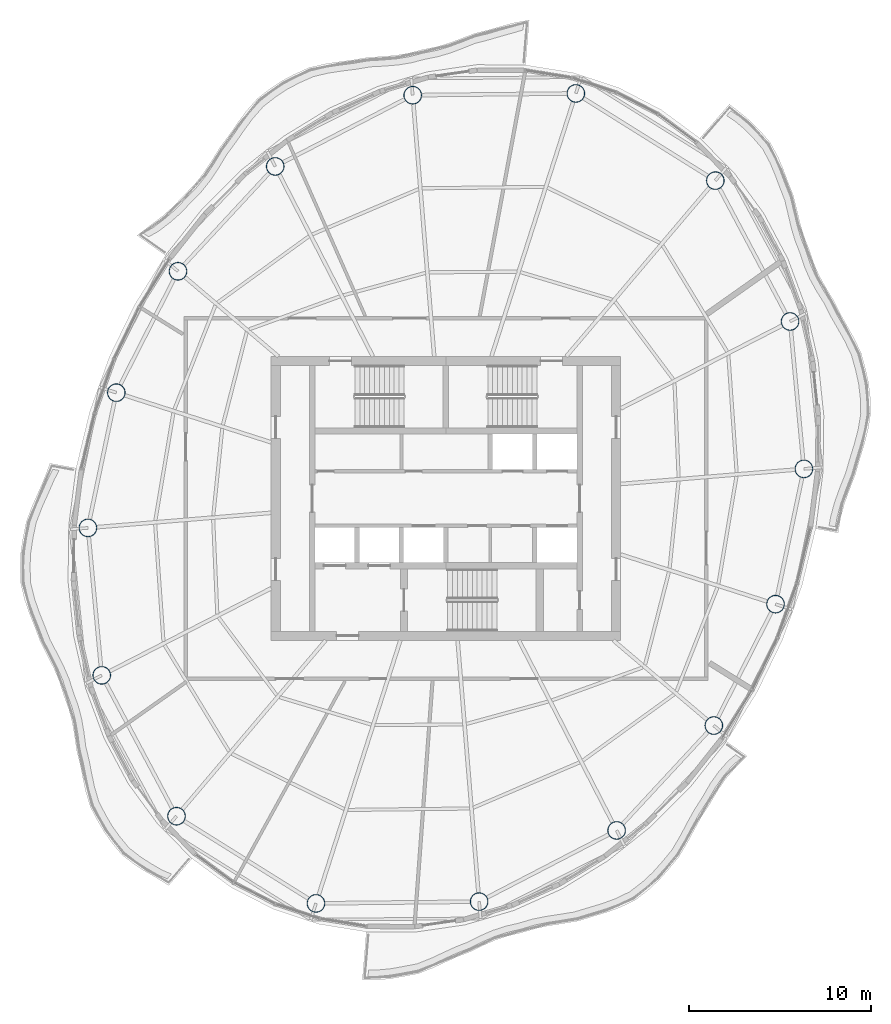
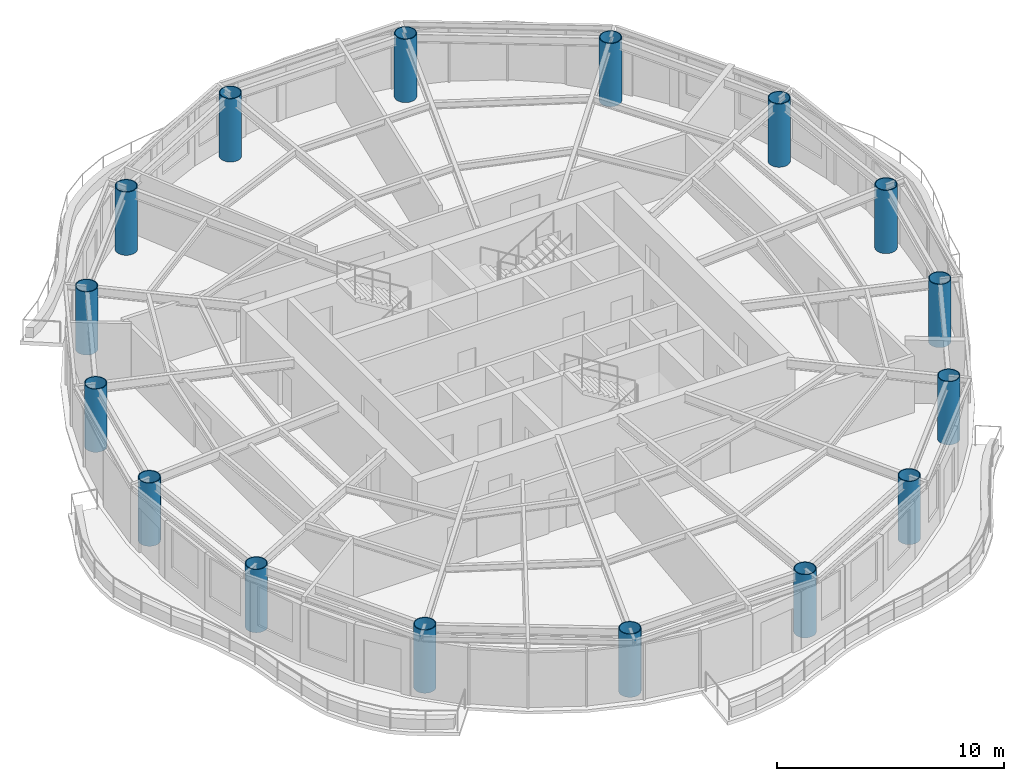
# One storey, part 1 of 13: 16 columns.
"""IFC4 building model written with IfcOpenShell, lengths in metres."""

import ifcopenshell
import ifcopenshell.guid

model = None  # the IFC model being written
_history = None  # IfcOwnerHistory: only IFC2X3 demands one
_inside = {}  # id of a spatial element -> (the spatial element, [elements in it])
_under = {}  # id of a project, library or spatial element -> (it, [spatial elements below it])
_declared = {}  # id of a project -> (the project, [libraries it declares])
_typed = {}  # id of a type object -> (the type object, [elements of that type])
_made_of = {}  # id of a material, layer set ... -> (it, [elements and type objects made of it])


def new_model(schema):
    """Start an empty IFC model of exactly this schema.

    Asked for "IFC4X3", IfcOpenShell would pick the latest addendum, in which some entities
    have other attributes; the version numbers below select the first issue.
    IFC2X3 requires an IfcOwnerHistory on every rooted entity: one is made here for all.
    """
    global model, _history
    if schema == "IFC4X3":
        model = ifcopenshell.file(schema_version=(4, 3, 0, 0))
    else:
        model = ifcopenshell.file(schema=schema)
    _inside.clear()
    _under.clear()
    _declared.clear()
    _typed.clear()
    _made_of.clear()
    _history = None
    if model.schema == "IFC2X3":
        org = make("IfcOrganization", Name="unknown")
        user = make(
            "IfcPersonAndOrganization",
            ThePerson=make("IfcPerson", FamilyName="unknown"),
            TheOrganization=org,
        )
        app = make(
            "IfcApplication",
            ApplicationDeveloper=org,
            Version="unknown",
            ApplicationFullName="unknown",
            ApplicationIdentifier="unknown",
        )
        _history = make(
            "IfcOwnerHistory",
            OwningUser=user,
            OwningApplication=app,
            ChangeAction="ADDED",
            CreationDate=0,
        )
    return model


def make(cls, **values):
    """One entity of the class cls with the attributes given. An attribute that is None is left unset."""
    return model.create_entity(
        cls, **{name: value for name, value in values.items() if value is not None}
    )


def rooted(cls, **values):
    """An entity with a GlobalId (a new one), such as an element, a storey or a relation."""
    return make(cls, GlobalId=ifcopenshell.guid.new(), OwnerHistory=_history, **values)


def si_unit(unit_type, name, prefix=None):
    """IfcSIUnit, for example si_unit("LENGTHUNIT", "METRE", prefix="MILLI")."""
    return make("IfcSIUnit", UnitType=unit_type, Prefix=prefix, Name=name)


def assignment(units):
    """IfcUnitAssignment: the units of a project."""
    return None if units is None else make("IfcUnitAssignment", Units=units)


def point(xyz):
    """IfcCartesianPoint."""
    return None if xyz is None else make("IfcCartesianPoint", Coordinates=xyz)


def direction(xyz):
    """IfcDirection."""
    return None if xyz is None else make("IfcDirection", DirectionRatios=xyz)


def frame(location, z_axis=None, x_axis=None):
    """IfcAxis2Placement3D, a coordinate frame: its origin and axes. An axis left out is left unset."""
    return make(
        "IfcAxis2Placement3D",
        Location=point(location),
        Axis=direction(z_axis),
        RefDirection=direction(x_axis),
    )


def frame_2d(location, x_axis=None):
    """IfcAxis2Placement2D, a coordinate frame in the plane: its origin and x axis."""
    return make(
        "IfcAxis2Placement2D", Location=point(location), RefDirection=direction(x_axis)
    )


def origin():
    """The frame at (0, 0, 0) with its axes left unset."""
    return frame((0.0, 0.0, 0.0))


def origin_2d():
    """The frame at (0, 0) in the plane with its x axis left unset."""
    return frame_2d((0.0, 0.0))


def place(relative_to, where):
    """IfcLocalPlacement: puts the frame where relative to a parent placement (None: the world)."""
    return make(
        "IfcLocalPlacement", PlacementRelTo=relative_to, RelativePlacement=where
    )


def context(
    kind, dimensions, precision=None, world=None, true_north=None, identifier=None
):
    """IfcGeometricRepresentationContext, for example the 3D "Model" context."""
    return make(
        "IfcGeometricRepresentationContext",
        ContextIdentifier=identifier,
        ContextType=kind,
        CoordinateSpaceDimension=dimensions,
        Precision=precision,
        WorldCoordinateSystem=world,
        TrueNorth=true_north,
    )


def subcontext(parent, identifier, kind, view, scale=None):
    """IfcGeometricRepresentationSubContext, for example "Body" below "Model"."""
    return make(
        "IfcGeometricRepresentationSubContext",
        ContextIdentifier=identifier,
        ContextType=kind,
        ParentContext=parent,
        TargetScale=scale,
        TargetView=view,
    )


def project(units=None, contexts=None):
    """IfcProject with its units and contexts."""
    return rooted(
        "IfcProject",
        Name="project",
        RepresentationContexts=contexts,
        UnitsInContext=assignment(units),
    )


def spatial(cls, under=None, at=None, **own):
    """A site, building, storey or space (cls), placed at a placement, below another one or the project."""
    s = rooted(cls, ObjectPlacement=at, **own)
    if under is not None:
        _under.setdefault(under.id(), (under, []))[1].append(s)
    return s


def profile(cls, at=None, kind="AREA", **sizes):
    """A parametric profile (cls). Its sizes go by their IFC names, for example OverallWidth=200.0."""
    return make(cls, ProfileType=kind, Position=at, **sizes)


def hollow_circle(**sizes):
    """IfcCircleHollowProfileDef."""
    return profile("IfcCircleHollowProfileDef", **sizes)


def extrude(swept, where, along, depth):
    """IfcExtrudedAreaSolid: the profile swept, set in the frame where, extruded along a direction by depth."""
    return make(
        "IfcExtrudedAreaSolid",
        SweptArea=swept,
        Position=where,
        ExtrudedDirection=direction(along),
        Depth=depth,
    )


def shape(context_of_items, identifier, shape_type, items):
    """IfcShapeRepresentation: the items that make up one representation, for example the "Body"."""
    return make(
        "IfcShapeRepresentation",
        ContextOfItems=context_of_items,
        RepresentationIdentifier=identifier,
        RepresentationType=shape_type,
        Items=items,
    )


def material(Name=None, Category=None):
    """IfcMaterial."""
    return make("IfcMaterial", Name=Name, Category=Category)


def material_profile(
    of_material, cross_section, Name=None, Category=None, Priority=None
):
    """IfcMaterialProfile: a cross section and its material."""
    return make(
        "IfcMaterialProfile",
        Name=Name,
        Material=of_material,
        Profile=cross_section,
        Priority=Priority,
        Category=Category,
    )


def profile_set(profiles, Name=None, composite=None):
    """IfcMaterialProfileSet."""
    return make(
        "IfcMaterialProfileSet",
        Name=Name,
        MaterialProfiles=profiles,
        CompositeProfile=composite,
    )


def made_of(thing, what):
    """Note that an element or type object is made of a material, layer set ...; save() writes the relation."""
    if what is not None:
        _made_of.setdefault(what.id(), (what, []))[1].append(thing)
    return thing


def type_object(cls, material=None, **own):
    """A type object (cls), such as IfcWallType, which elements share."""
    return made_of(rooted(cls, **own), material)


def element(
    cls,
    number,
    at=None,
    inside=None,
    cuts=None,
    type_object=None,
    material=None,
    context=None,
    identifier="Body",
    shape_type=None,
    held_by="IfcProductDefinitionShape",
    body=None,
    shapes=None,
    **own,
):
    """One element of the class cls, such as IfcWall. Its Tag is "e" and its number.

    at: its placement. inside: the storey or other place that contains it. cuts: it is an
    opening in that element (IfcRelVoidsElement). A single representation is given by context,
    identifier, shape_type and body (its items); several are given by shapes. held_by: the class
    of the entity that holds the representations. save() writes the other relations.
    """
    e = rooted(cls, Tag="e%d" % number, ObjectPlacement=at, **own)
    if body is not None:
        shapes = [shape(context, identifier, shape_type, body)]
    if shapes is not None:
        e.Representation = make(held_by, Representations=shapes)
    if inside is not None:
        _inside.setdefault(inside.id(), (inside, []))[1].append(e)
    if cuts is not None:
        rooted(
            "IfcRelVoidsElement", RelatingBuildingElement=cuts, RelatedOpeningElement=e
        )
    if type_object is not None:
        _typed.setdefault(type_object.id(), (type_object, []))[1].append(e)
    return made_of(e, material)


def aggregate(whole, parts):
    """IfcRelAggregates: a whole, such as a stair, and the parts it consists of."""
    return rooted("IfcRelAggregates", RelatingObject=whole, RelatedObjects=parts)


def save(model, path):
    """Write the relations noted so far, then the file.

    IfcRelAggregates (storeys below a building ...), IfcRelContainedInSpatialStructure (elements
    in a storey), IfcRelDefinesByType, IfcRelAssociatesMaterial and IfcRelDeclares: one each for
    every whole, place, type object, material and project.
    """
    for whole, parts in _under.values():
        aggregate(whole, parts)
    for where, things in _inside.values():
        rooted(
            "IfcRelContainedInSpatialStructure",
            RelatedElements=things,
            RelatingStructure=where,
        )
    for kind, things in _typed.values():
        rooted("IfcRelDefinesByType", RelatedObjects=things, RelatingType=kind)
    for what, things in _made_of.values():
        rooted("IfcRelAssociatesMaterial", RelatedObjects=things, RelatingMaterial=what)
    for by, libraries in _declared.values():
        rooted("IfcRelDeclares", RelatingContext=by, RelatedDefinitions=libraries)
    model.write(path)


model = new_model("IFC4")

# Units and contexts
model_context = context("Model", 3, precision=1e-05, world=origin(), true_north=direction((0.0, 1.0)))
body_context = subcontext(model_context, "Body", "Model", "MODEL_VIEW")
ifc_project = project(units=[si_unit("LENGTHUNIT", "METRE"), si_unit("AREAUNIT", "SQUARE_METRE"), si_unit("VOLUMEUNIT", "CUBIC_METRE"), si_unit("PLANEANGLEUNIT", "RADIAN"), si_unit("MASSUNIT", "GRAM", prefix="KILO")], contexts=[model_context])

# Site, building, storey
site_placement = place(None, origin())
site = spatial("IfcSite", under=ifc_project, at=site_placement, CompositionType="ELEMENT")
building_placement = place(site_placement, origin())
building = spatial("IfcBuilding", under=site, at=building_placement, Name="Vermilion Reach Broadcast Tower", CompositionType="ELEMENT")
storey_placement = place(building_placement, frame((0.0, 0.0, 300.89990234375)))
storey = spatial("IfcBuildingStorey", under=building, at=storey_placement, Name="L75", CompositionType="ELEMENT", Elevation=300.89990234375)

# Columns
ifc_material = material(Name="Concrete C60 infill in steel S460NL tube", Category="concrete")
ifc_material_profile = material_profile(ifc_material, hollow_circle(Radius=0.5, WallThickness=0.0400390625, at=origin_2d()), Name="Concrete C60 infill in steel S460NL tube CFT 1000x40")
ifc_profile_set = profile_set([ifc_material_profile], Name="Concrete C60 infill in steel S460NL tube")
column_type = type_object("IfcColumnType", Name="MC5 CFT 1000x40", PredefinedType="COLUMN", material=ifc_profile_set)
for number, where, z_axis, x_axis, name in (
    (1, (1.138427734375, 22.2470703125, 0.0), (0.0, 0.0, 1.0), (1.0, 0.0, 0.0), "Mega-column MC5-01"),
    (2, (-7.824951171875, 22.1494140625, 0.0), (0.0, 0.0, 1.0), (1.0, 0.0, 0.0), "Mega-column MC5-02"),
    (3, (-15.376953125, 18.23779296875, 0.0), (0.0, 0.0, 1.0), (1.0, 0.0, 0.0), "Mega-column MC5-03"),
    (4, (-20.717529296875, 12.476806640625, 0.0), (0.0, 0.0, 1.0), (1.0, 0.0, 0.0), "Mega-column MC5-04"),
    (5, (-24.10595703125, 5.809814453125, 0.0), (0.0, 0.0, 1.0), (1.0, 0.0, 0.0), "Mega-column MC5-05"),
    (6, (-25.665771484375, -1.620361328125, 0.0), (0.0, 0.0, 1.0), (1.0, 0.0, 0.0), "Mega-column MC5-06"),
    (7, (-24.905517578125, -9.72021484375, 0.0), (0.0, 0.0, 1.0), (1.0, 0.0, 0.0), "Mega-column MC5-07"),
    (8, (-20.799560546875, -17.457275390625, 0.0), (0.0, 0.0, 1.0), (1.0, 0.0, 0.0), "Mega-column MC5-08"),
    (9, (-13.138427734375, -22.2470703125, 0.0), (0.0, 0.0, 1.0), (1.0, 0.0, 0.0), "Mega-column MC5-09"),
    (10, (-4.175048828125, -22.1494140625, 0.0), (0.0, 0.0, 1.0), (1.0, 0.0, 0.0), "Mega-column MC5-10"),
    (11, (3.376953125, -18.23779296875, 0.0), (0.0, 0.0, 1.0), (1.0, 0.0, 0.0), "Mega-column MC5-11"),
    (12, (8.717529296875, -12.476806640625, 0.0), (0.0, 0.0, 1.0), (1.0, 0.0, 0.0), "Mega-column MC5-12"),
    (13, (12.10595703125, -5.809814453125, 0.0), (0.0, 0.0, 1.0), (1.0, 0.0, 0.0), "Mega-column MC5-13"),
    (14, (13.665771484375, 1.620361328125, 0.0), (0.0, 0.0, 1.0), (1.0, 0.0, 0.0), "Mega-column MC5-14"),
    (15, (12.905517578125, 9.72021484375, 0.0), (0.0, 0.0, 1.0), (1.0, 0.0, 0.0), "Mega-column MC5-15"),
    (16, (8.799560546875, 17.457275390625, 0.0), (0.0, 0.0, 1.0), (1.0, 0.0, 0.0), "Mega-column MC5-16"),
):
    element("IfcColumn", number, at=place(storey_placement, frame(where, z_axis=z_axis, x_axis=x_axis)), inside=storey, type_object=column_type, Name=name, PredefinedType="COLUMN", context=body_context, shape_type="SweptSolid", body=[
        extrude(hollow_circle(Radius=0.5, WallThickness=0.0400390625, at=origin_2d()), origin(), (0.0, 0.0, 1.0), 3.400146484375),
    ])

save(model, "model.ifc")
